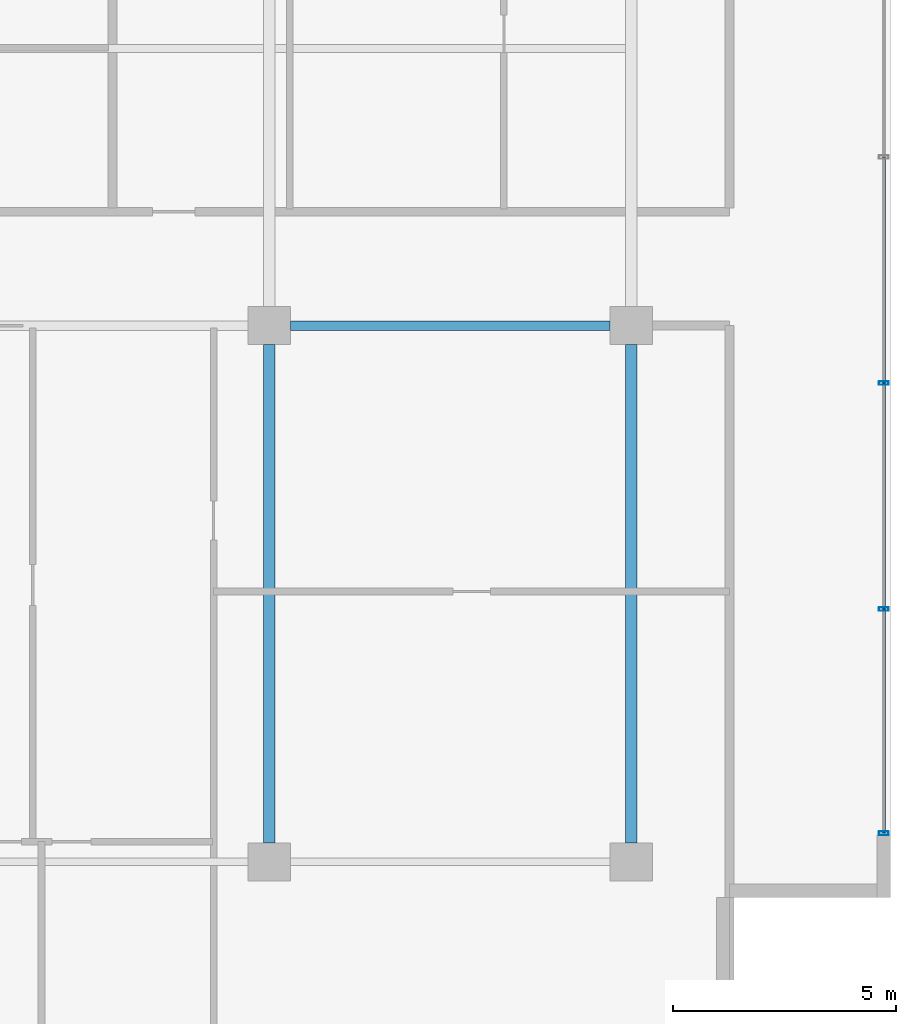
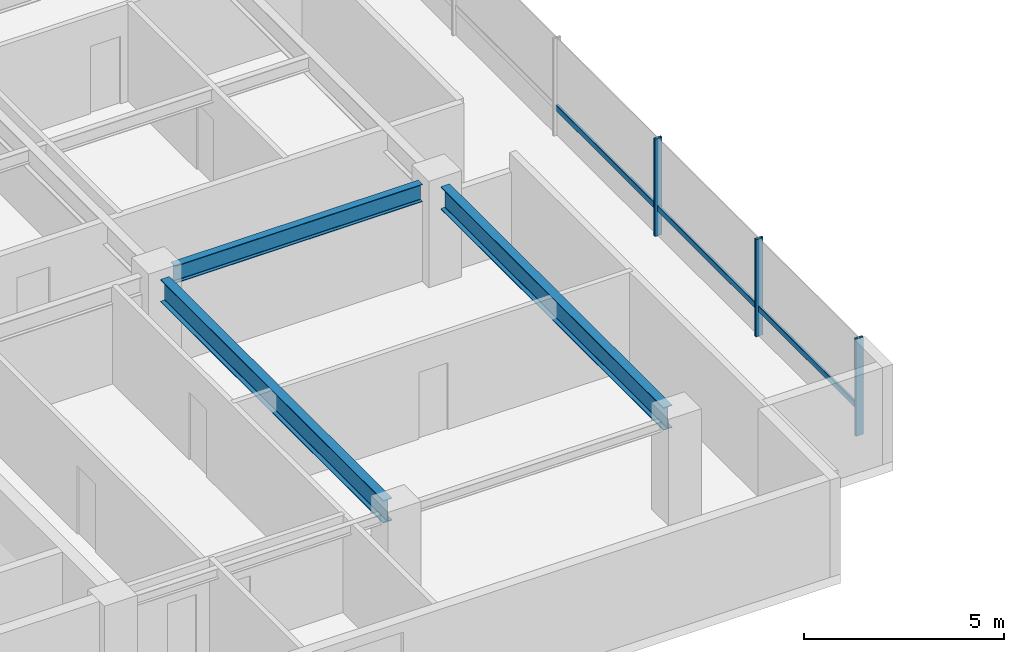
# One storey, part 16 of 38: 6 members, 3 beams, 1 element without a shape of its own.
"""IFC4 building model written with IfcOpenShell, lengths in metres."""

from ifc_helpers import new_model, si_unit, direction, frame, origin, origin_2d, place, context, subcontext, project, spatial, hollow_rectangle, i_section, extrude, material, layer, layer_set, material_profile, profile_set, type_object, element, aggregate, save


model = new_model("IFC4")

# Units and contexts
model_context = context("Model", 3, precision=1e-05, world=origin(), true_north=direction((0.0, 1.0)))
body_context = subcontext(model_context, "Body", "Model", "MODEL_VIEW")
ifc_project = project(units=[si_unit("LENGTHUNIT", "METRE"), si_unit("AREAUNIT", "SQUARE_METRE"), si_unit("VOLUMEUNIT", "CUBIC_METRE"), si_unit("PLANEANGLEUNIT", "RADIAN"), si_unit("MASSUNIT", "GRAM", prefix="KILO")], contexts=[model_context])

# Site, building, storey
site_placement = place(None, origin())
site = spatial("IfcSite", under=ifc_project, at=site_placement, CompositionType="ELEMENT")
building_placement = place(site_placement, origin())
building = spatial("IfcBuilding", under=site, at=building_placement, Name="Korimba Cascade Residences", CompositionType="ELEMENT")
storey_placement = place(building_placement, frame((0.0, 0.0, 93.800048828125)))
storey = spatial("IfcBuildingStorey", under=building, at=storey_placement, Name="L26", CompositionType="ELEMENT", Elevation=93.800048828125)

# Beams
ifc_material_1 = material(Name="Steel S355", Category="steel")
ifc_material_profile_1 = material_profile(ifc_material_1, i_section(OverallWidth=0.2099609375, OverallDepth=0.53662109375, WebThickness=0.0107421875, FlangeThickness=0.017333984375, FilletRadius=0.0126953125, at=origin_2d()), Name="Steel S355")
ifc_profile_set_1 = profile_set([ifc_material_profile_1], Name="Steel S355")
beam_type_1 = type_object("IfcBeamType", Name="BM-STL-UB533", PredefinedType="BEAM", material=ifc_profile_set_1)
beam_placement = place(storey_placement, frame((120.77490234375, 67.199951171875, 2.70166015625), z_axis=(1.0, 0.0, 0.0), x_axis=(0.0, 1.0, 0.0)))
element("IfcBeam", 1, at=beam_placement, inside=storey, type_object=beam_type_1, Name="L26 T1 E-W Girder Y2 Bay 8", PredefinedType="BEAM", context=body_context, shape_type="SweptSolid", body=[
    extrude(i_section(OverallWidth=0.2099609375, OverallDepth=0.53662109375, WebThickness=0.0107421875, FlangeThickness=0.017333984375, FilletRadius=0.0126953125, at=origin_2d()), origin(), (0.0, 0.0, 1.0), 7.150146484375),
])
ifc_material_profile_2 = material_profile(ifc_material_1, i_section(OverallWidth=0.255859375, OverallDepth=0.69287109375, WebThickness=0.014404296875, FlangeThickness=0.023681640625, FilletRadius=0.01513671875, at=origin_2d()), Name="Steel S355")
ifc_profile_set_2 = profile_set([ifc_material_profile_2], Name="Steel S355")
beam_type_2 = type_object("IfcBeamType", Name="BM-STL-UB686", PredefinedType="BEAM", material=ifc_profile_set_2)
for number, where, z_axis, x_axis, name in (
    (2, (120.300048828125, 55.625, 2.62353515625), (0.0, 1.0, 0.0), (-1.0, 0.0, 0.0), "L26 T1 N-S Girder X8 Seg 1"),
    (3, (128.39990234375, 55.625, 2.62353515625), (0.0, 1.0, 0.0), (-1.0, 0.0, 0.0), "L26 T1 N-S Girder X9 Seg 1"),
):
    element("IfcBeam", number, at=place(storey_placement, frame(where, z_axis=z_axis, x_axis=x_axis)), inside=storey, type_object=beam_type_2, Name=name, PredefinedType="BEAM", context=body_context, shape_type="SweptSolid", body=[
        extrude(i_section(OverallWidth=0.255859375, OverallDepth=0.69287109375, WebThickness=0.014404296875, FlangeThickness=0.023681640625, FilletRadius=0.01513671875, at=origin_2d()), origin(), (0.0, 0.0, 1.0), 11.14990234375),
    ])

# Curtain wall, members
ifc_material_2 = material(Name="Anodised Aluminium Curtain Wall Framing", Category="aluminium")
ifc_layer = layer(ifc_material_2, 0.179931640625)
ifc_layer_set = layer_set([ifc_layer], Name="Anodised Aluminium Curtain Wall Framing")
curtain_wall_type = type_object("IfcCurtainWallType", Name="CW-SKY-SYS2", PredefinedType="NOTDEFINED", material=ifc_layer_set)
curtain_wall_placement = place(storey_placement, origin())
curtain_wall = element("IfcCurtainWall", 4, at=curtain_wall_placement, inside=storey, type_object=curtain_wall_type, Name="L26 Curtain Wall CW-L26-T1-E3", PredefinedType="NOTDEFINED")
ifc_material_3 = material(Name="Anodised Aluminium Mullion", Category="aluminium")
ifc_material_profile_3 = material_profile(ifc_material_3, hollow_rectangle(XDim=0.080078125, YDim=0.219970703125, WallThickness=0.00634765625, InnerFilletRadius=0.00634765625, OuterFilletRadius=0.0126953125, at=origin_2d()), Name="Anodised Aluminium Mullion")
ifc_profile_set_3 = profile_set([ifc_material_profile_3], Name="Anodised Aluminium Mullion")
member_type_1 = type_object("IfcMemberType", Name="CWM-MUL-220", PredefinedType="MULLION", material=ifc_profile_set_3)
member_1_placement = place(storey_placement, frame((134.050048828125, 55.840087890625, 0.0), z_axis=(0.0, 0.0, 1.0), x_axis=(0.0, 1.0, 0.0)))
member_1 = element("IfcMember", 5, at=member_1_placement, type_object=member_type_1, Name="CW-L26-T1-E3 Mullion 1", PredefinedType="MULLION", context=body_context, shape_type="SweptSolid", body=[
    extrude(hollow_rectangle(XDim=0.080078125, YDim=0.219970703125, WallThickness=0.00634765625, InnerFilletRadius=0.00634765625, OuterFilletRadius=0.0126953125, at=origin_2d()), origin(), (0.0, 0.0, 1.0), 2.969970703125),
])
member_2_placement = place(storey_placement, frame((134.050048828125, 60.857177734375, 0.0), z_axis=(0.0, 0.0, 1.0), x_axis=(0.0, 1.0, 0.0)))
member_2 = element("IfcMember", 6, at=member_2_placement, type_object=member_type_1, Name="CW-L26-T1-E3 Mullion 2", PredefinedType="MULLION", context=body_context, shape_type="SweptSolid", body=[
    extrude(hollow_rectangle(XDim=0.080078125, YDim=0.219970703125, WallThickness=0.00634765625, InnerFilletRadius=0.00634765625, OuterFilletRadius=0.0126953125, at=origin_2d()), origin(), (0.0, 0.0, 1.0), 2.969970703125),
])
member_3_placement = place(storey_placement, frame((134.050048828125, 65.914306640625, 0.0), z_axis=(0.0, 0.0, 1.0), x_axis=(0.0, 1.0, 0.0)))
member_3 = element("IfcMember", 7, at=member_3_placement, type_object=member_type_1, Name="CW-L26-T1-E3 Mullion 3", PredefinedType="MULLION", context=body_context, shape_type="SweptSolid", body=[
    extrude(hollow_rectangle(XDim=0.080078125, YDim=0.219970703125, WallThickness=0.00634765625, InnerFilletRadius=0.00634765625, OuterFilletRadius=0.0126953125, at=origin_2d()), origin(), (0.0, 0.0, 1.0), 2.969970703125),
])
ifc_material_4 = material(Name="Anodised Aluminium Transom", Category="aluminium")
ifc_material_profile_4 = material_profile(ifc_material_4, hollow_rectangle(XDim=0.070068359375, YDim=0.179931640625, WallThickness=0.0048828125, InnerFilletRadius=0.0048828125, OuterFilletRadius=0.010009765625, at=origin_2d()), Name="Anodised Aluminium Transom")
ifc_profile_set_4 = profile_set([ifc_material_profile_4], Name="Anodised Aluminium Transom")
member_type_2 = type_object("IfcMemberType", Name="CWM-TRN-150", PredefinedType="USERDEFINED", material=ifc_profile_set_4)
member_4_placement = place(storey_placement, frame((134.050048828125, 55.840087890625, 0.83154296875), z_axis=(0.0, 1.0, 0.0), x_axis=(-1.0, 0.0, 0.0)))
member_4 = element("IfcMember", 8, at=member_4_placement, type_object=member_type_2, Name="CW-L26-T1-E3 Transom 1", ObjectType="TRANSOM", PredefinedType="USERDEFINED", context=body_context, shape_type="SweptSolid", body=[
    extrude(hollow_rectangle(XDim=0.070068359375, YDim=0.179931640625, WallThickness=0.0048828125, InnerFilletRadius=0.0048828125, OuterFilletRadius=0.010009765625, at=origin_2d()), origin(), (0.0, 0.0, 1.0), 5.01708984375),
])
member_5_placement = place(storey_placement, frame((134.050048828125, 60.857177734375, 0.83154296875), z_axis=(0.0, 1.0, 0.0), x_axis=(-1.0, 0.0, 0.0)))
member_5 = element("IfcMember", 9, at=member_5_placement, type_object=member_type_2, Name="CW-L26-T1-E3 Transom 2", ObjectType="TRANSOM", PredefinedType="USERDEFINED", context=body_context, shape_type="SweptSolid", body=[
    extrude(hollow_rectangle(XDim=0.070068359375, YDim=0.179931640625, WallThickness=0.0048828125, InnerFilletRadius=0.0048828125, OuterFilletRadius=0.010009765625, at=origin_2d()), origin(), (0.0, 0.0, 1.0), 5.05712890625),
])
member_6_placement = place(storey_placement, frame((134.050048828125, 65.914306640625, 0.83154296875), z_axis=(0.0, 1.0, 0.0), x_axis=(-1.0, 0.0, 0.0)))
member_6 = element("IfcMember", 10, at=member_6_placement, type_object=member_type_2, Name="CW-L26-T1-E3 Transom 3", ObjectType="TRANSOM", PredefinedType="USERDEFINED", context=body_context, shape_type="SweptSolid", body=[
    extrude(hollow_rectangle(XDim=0.070068359375, YDim=0.179931640625, WallThickness=0.0048828125, InnerFilletRadius=0.0048828125, OuterFilletRadius=0.010009765625, at=origin_2d()), origin(), (0.0, 0.0, 1.0), 5.05712890625),
])
aggregate(curtain_wall, [member_1, member_2, member_3, member_4, member_5, member_6])

save(model, "model.ifc")
